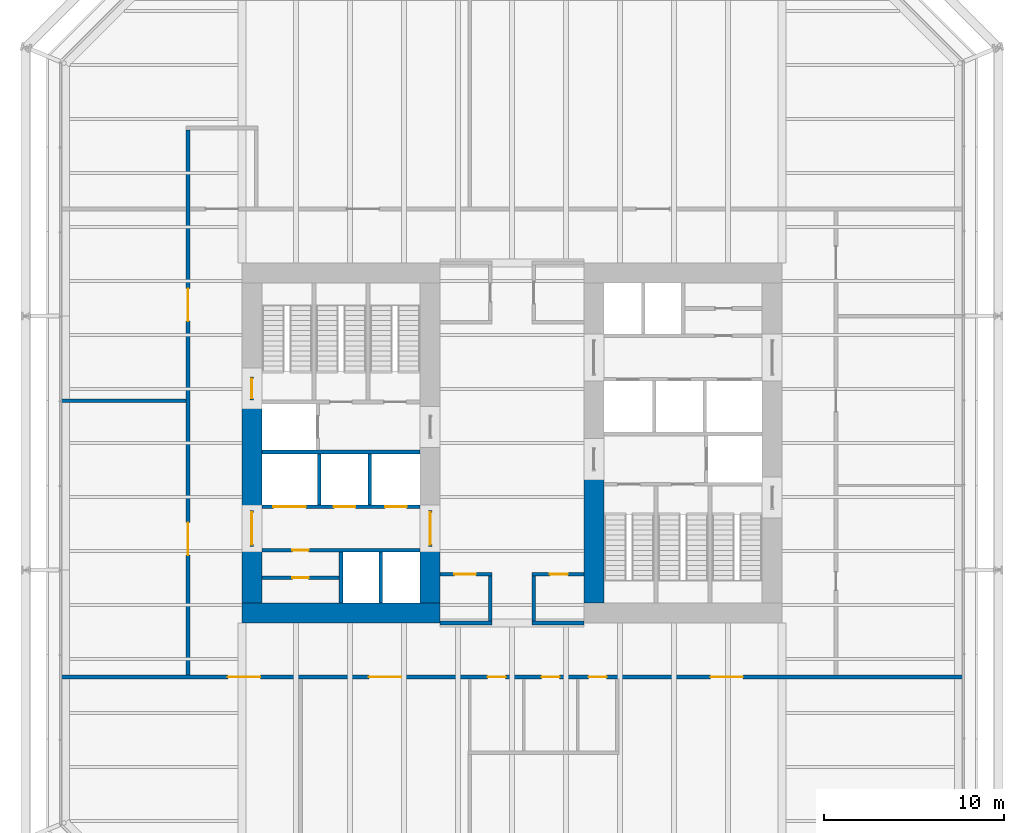
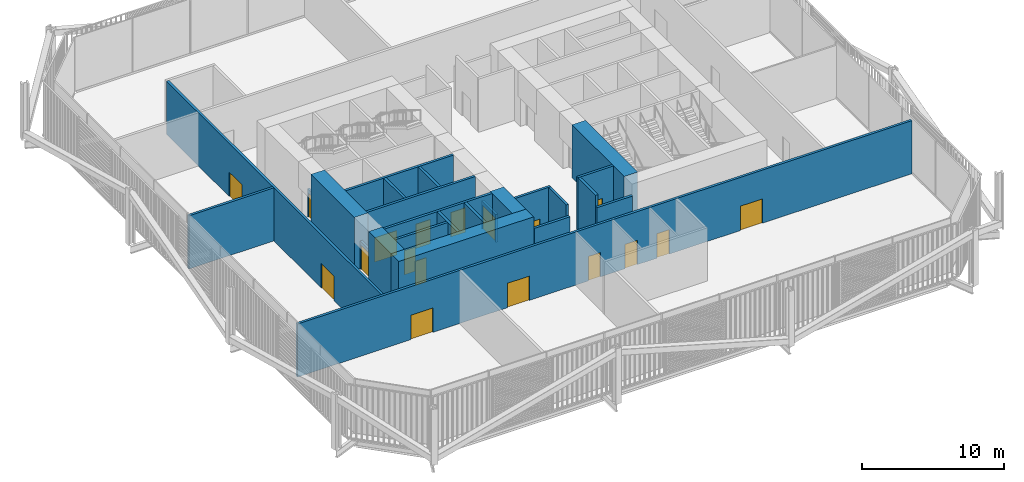
# One storey, part 18 of 22: 25 walls, 18 doors, 18 openings.
"""IFC4 building model written with IfcOpenShell, lengths in metres."""

import ifcopenshell
import ifcopenshell.guid

model = None  # the IFC model being written
_history = None  # IfcOwnerHistory: only IFC2X3 demands one
_inside = {}  # id of a spatial element -> (the spatial element, [elements in it])
_under = {}  # id of a project, library or spatial element -> (it, [spatial elements below it])
_declared = {}  # id of a project -> (the project, [libraries it declares])
_typed = {}  # id of a type object -> (the type object, [elements of that type])
_made_of = {}  # id of a material, layer set ... -> (it, [elements and type objects made of it])


def new_model(schema):
    """Start an empty IFC model of exactly this schema.

    Asked for "IFC4X3", IfcOpenShell would pick the latest addendum, in which some entities
    have other attributes; the version numbers below select the first issue.
    IFC2X3 requires an IfcOwnerHistory on every rooted entity: one is made here for all.
    """
    global model, _history
    if schema == "IFC4X3":
        model = ifcopenshell.file(schema_version=(4, 3, 0, 0))
    else:
        model = ifcopenshell.file(schema=schema)
    _inside.clear()
    _under.clear()
    _declared.clear()
    _typed.clear()
    _made_of.clear()
    _history = None
    if model.schema == "IFC2X3":
        org = make("IfcOrganization", Name="unknown")
        user = make(
            "IfcPersonAndOrganization",
            ThePerson=make("IfcPerson", FamilyName="unknown"),
            TheOrganization=org,
        )
        app = make(
            "IfcApplication",
            ApplicationDeveloper=org,
            Version="unknown",
            ApplicationFullName="unknown",
            ApplicationIdentifier="unknown",
        )
        _history = make(
            "IfcOwnerHistory",
            OwningUser=user,
            OwningApplication=app,
            ChangeAction="ADDED",
            CreationDate=0,
        )
    return model


def make(cls, **values):
    """One entity of the class cls with the attributes given. An attribute that is None is left unset."""
    return model.create_entity(
        cls, **{name: value for name, value in values.items() if value is not None}
    )


def rooted(cls, **values):
    """An entity with a GlobalId (a new one), such as an element, a storey or a relation."""
    return make(cls, GlobalId=ifcopenshell.guid.new(), OwnerHistory=_history, **values)


def si_unit(unit_type, name, prefix=None):
    """IfcSIUnit, for example si_unit("LENGTHUNIT", "METRE", prefix="MILLI")."""
    return make("IfcSIUnit", UnitType=unit_type, Prefix=prefix, Name=name)


def assignment(units):
    """IfcUnitAssignment: the units of a project."""
    return None if units is None else make("IfcUnitAssignment", Units=units)


def point(xyz):
    """IfcCartesianPoint."""
    return None if xyz is None else make("IfcCartesianPoint", Coordinates=xyz)


def direction(xyz):
    """IfcDirection."""
    return None if xyz is None else make("IfcDirection", DirectionRatios=xyz)


def frame(location, z_axis=None, x_axis=None):
    """IfcAxis2Placement3D, a coordinate frame: its origin and axes. An axis left out is left unset."""
    return make(
        "IfcAxis2Placement3D",
        Location=point(location),
        Axis=direction(z_axis),
        RefDirection=direction(x_axis),
    )


def frame_2d(location, x_axis=None):
    """IfcAxis2Placement2D, a coordinate frame in the plane: its origin and x axis."""
    return make(
        "IfcAxis2Placement2D", Location=point(location), RefDirection=direction(x_axis)
    )


def origin():
    """The frame at (0, 0, 0) with its axes left unset."""
    return frame((0.0, 0.0, 0.0))


def place(relative_to, where):
    """IfcLocalPlacement: puts the frame where relative to a parent placement (None: the world)."""
    return make(
        "IfcLocalPlacement", PlacementRelTo=relative_to, RelativePlacement=where
    )


def context(
    kind, dimensions, precision=None, world=None, true_north=None, identifier=None
):
    """IfcGeometricRepresentationContext, for example the 3D "Model" context."""
    return make(
        "IfcGeometricRepresentationContext",
        ContextIdentifier=identifier,
        ContextType=kind,
        CoordinateSpaceDimension=dimensions,
        Precision=precision,
        WorldCoordinateSystem=world,
        TrueNorth=true_north,
    )


def subcontext(parent, identifier, kind, view, scale=None):
    """IfcGeometricRepresentationSubContext, for example "Body" below "Model"."""
    return make(
        "IfcGeometricRepresentationSubContext",
        ContextIdentifier=identifier,
        ContextType=kind,
        ParentContext=parent,
        TargetScale=scale,
        TargetView=view,
    )


def project(units=None, contexts=None):
    """IfcProject with its units and contexts."""
    return rooted(
        "IfcProject",
        Name="project",
        RepresentationContexts=contexts,
        UnitsInContext=assignment(units),
    )


def spatial(cls, under=None, at=None, **own):
    """A site, building, storey or space (cls), placed at a placement, below another one or the project."""
    s = rooted(cls, ObjectPlacement=at, **own)
    if under is not None:
        _under.setdefault(under.id(), (under, []))[1].append(s)
    return s


def profile(cls, at=None, kind="AREA", **sizes):
    """A parametric profile (cls). Its sizes go by their IFC names, for example OverallWidth=200.0."""
    return make(cls, ProfileType=kind, Position=at, **sizes)


def rectangle(**sizes):
    """IfcRectangleProfileDef."""
    return profile("IfcRectangleProfileDef", **sizes)


def extrude(swept, where, along, depth):
    """IfcExtrudedAreaSolid: the profile swept, set in the frame where, extruded along a direction by depth."""
    return make(
        "IfcExtrudedAreaSolid",
        SweptArea=swept,
        Position=where,
        ExtrudedDirection=direction(along),
        Depth=depth,
    )


def shape(context_of_items, identifier, shape_type, items):
    """IfcShapeRepresentation: the items that make up one representation, for example the "Body"."""
    return make(
        "IfcShapeRepresentation",
        ContextOfItems=context_of_items,
        RepresentationIdentifier=identifier,
        RepresentationType=shape_type,
        Items=items,
    )


def material(Name=None, Category=None):
    """IfcMaterial."""
    return make("IfcMaterial", Name=Name, Category=Category)


def layer(
    of_material, thickness, ventilated=None, Name=None, Category=None, Priority=None
):
    """IfcMaterialLayer: one layer of a wall or slab, of a material (None: an air gap)."""
    return make(
        "IfcMaterialLayer",
        Material=of_material,
        LayerThickness=thickness,
        IsVentilated=ventilated,
        Name=Name,
        Category=Category,
        Priority=Priority,
    )


def layer_set(layers, Name=None):
    """IfcMaterialLayerSet."""
    return make("IfcMaterialLayerSet", MaterialLayers=layers, LayerSetName=Name)


def made_of(thing, what):
    """Note that an element or type object is made of a material, layer set ...; save() writes the relation."""
    if what is not None:
        _made_of.setdefault(what.id(), (what, []))[1].append(thing)
    return thing


def type_object(cls, material=None, **own):
    """A type object (cls), such as IfcWallType, which elements share."""
    return made_of(rooted(cls, **own), material)


def element(
    cls,
    number,
    at=None,
    inside=None,
    cuts=None,
    type_object=None,
    material=None,
    context=None,
    identifier="Body",
    shape_type=None,
    held_by="IfcProductDefinitionShape",
    body=None,
    shapes=None,
    **own,
):
    """One element of the class cls, such as IfcWall. Its Tag is "e" and its number.

    at: its placement. inside: the storey or other place that contains it. cuts: it is an
    opening in that element (IfcRelVoidsElement). A single representation is given by context,
    identifier, shape_type and body (its items); several are given by shapes. held_by: the class
    of the entity that holds the representations. save() writes the other relations.
    """
    e = rooted(cls, Tag="e%d" % number, ObjectPlacement=at, **own)
    if body is not None:
        shapes = [shape(context, identifier, shape_type, body)]
    if shapes is not None:
        e.Representation = make(held_by, Representations=shapes)
    if inside is not None:
        _inside.setdefault(inside.id(), (inside, []))[1].append(e)
    if cuts is not None:
        rooted(
            "IfcRelVoidsElement", RelatingBuildingElement=cuts, RelatedOpeningElement=e
        )
    if type_object is not None:
        _typed.setdefault(type_object.id(), (type_object, []))[1].append(e)
    return made_of(e, material)


def fill(opening, filler):
    """IfcRelFillsElement: the door or window that sits in an opening."""
    return rooted(
        "IfcRelFillsElement",
        RelatingOpeningElement=opening,
        RelatedBuildingElement=filler,
    )


def aggregate(whole, parts):
    """IfcRelAggregates: a whole, such as a stair, and the parts it consists of."""
    return rooted("IfcRelAggregates", RelatingObject=whole, RelatedObjects=parts)


def save(model, path):
    """Write the relations noted so far, then the file.

    IfcRelAggregates (storeys below a building ...), IfcRelContainedInSpatialStructure (elements
    in a storey), IfcRelDefinesByType, IfcRelAssociatesMaterial and IfcRelDeclares: one each for
    every whole, place, type object, material and project.
    """
    for whole, parts in _under.values():
        aggregate(whole, parts)
    for where, things in _inside.values():
        rooted(
            "IfcRelContainedInSpatialStructure",
            RelatedElements=things,
            RelatingStructure=where,
        )
    for kind, things in _typed.values():
        rooted("IfcRelDefinesByType", RelatedObjects=things, RelatingType=kind)
    for what, things in _made_of.values():
        rooted("IfcRelAssociatesMaterial", RelatedObjects=things, RelatingMaterial=what)
    for by, libraries in _declared.values():
        rooted("IfcRelDeclares", RelatingContext=by, RelatedDefinitions=libraries)
    model.write(path)


model = new_model("IFC4")

# Units and contexts
model_context = context("Model", 3, precision=1e-05, world=origin(), true_north=direction((0.0, 1.0)))
body_context = subcontext(model_context, "Body", "Model", "MODEL_VIEW")
ifc_project = project(units=[si_unit("LENGTHUNIT", "METRE"), si_unit("AREAUNIT", "SQUARE_METRE"), si_unit("VOLUMEUNIT", "CUBIC_METRE"), si_unit("PLANEANGLEUNIT", "RADIAN"), si_unit("MASSUNIT", "GRAM", prefix="KILO")], contexts=[model_context])

# Site, building, storey
site_placement = place(None, origin())
site = spatial("IfcSite", under=ifc_project, at=site_placement, CompositionType="ELEMENT")
building_placement = place(site_placement, origin())
building = spatial("IfcBuilding", under=site, at=building_placement, Name="Millrace Tower", CompositionType="ELEMENT")
storey_placement = place(building_placement, frame((0.0, 0.0, 30.5)))
storey = spatial("IfcBuildingStorey", under=building, at=storey_placement, Name="L07", CompositionType="ELEMENT", Elevation=30.5)

# Walls
ifc_material_1 = material(Name="Concrete C80", Category="concrete")
ifc_layer_1 = layer(ifc_material_1, 1.10009765625)
ifc_layer_set_1 = layer_set([ifc_layer_1], Name="Concrete C80")
wall_type_1 = type_object("IfcWallType", Name="Core wall 1100 Concrete C80", PredefinedType="SHEAR", material=ifc_layer_set_1)
wall_1_placement = place(storey_placement, frame((-15.0, -9.449951171875, 0.0), z_axis=(0.0, 0.0, 1.0), x_axis=(1.0, 0.0, 0.0)))
element("IfcWall", 1, at=wall_1_placement, inside=storey, type_object=wall_type_1, Name="Core wall W L07", PredefinedType="SHEAR", context=body_context, shape_type="SweptSolid", body=[
    extrude(rectangle(XDim=11.0, YDim=1.10009765625, at=frame_2d((5.5, 0.0))), origin(), (0.0, 0.0, 1.0), 4.574951171875),
])
wall_2_placement = place(storey_placement, frame((-14.449951171875, -8.89990234375, 0.0), z_axis=(0.0, 0.0, 1.0), x_axis=(0.0, 1.0, 0.0)))
element("IfcWall", 2, at=wall_2_placement, inside=storey, type_object=wall_type_1, Name="Core wall W L07", PredefinedType="SHEAR", context=body_context, shape_type="SweptSolid", body=[
    extrude(rectangle(XDim=3.14990234375, YDim=1.10009765625, at=frame_2d((1.574951171875, 0.0))), origin(), (0.0, 0.0, 1.0), 4.574951171875),
])
wall_3_placement = place(storey_placement, frame((-14.449951171875, -3.75, 0.0), z_axis=(0.0, 0.0, 1.0), x_axis=(0.0, 1.0, 0.0)))
element("IfcWall", 3, at=wall_3_placement, inside=storey, type_object=wall_type_1, Name="Core wall W L07", PredefinedType="SHEAR", context=body_context, shape_type="SweptSolid", body=[
    extrude(rectangle(XDim=6.1298828125, YDim=1.10009765625, at=frame_2d((3.06494140625, 0.0))), origin(), (0.0, 0.0, 1.0), 4.574951171875),
])
wall_4_placement = place(storey_placement, frame((-4.550048828125, -8.89990234375, 0.0), z_axis=(0.0, 0.0, 1.0), x_axis=(0.0, 1.0, 0.0)))
element("IfcWall", 4, at=wall_4_placement, inside=storey, type_object=wall_type_1, Name="Core wall W L07", PredefinedType="SHEAR", context=body_context, shape_type="SweptSolid", body=[
    extrude(rectangle(XDim=3.14990234375, YDim=1.10009765625, at=frame_2d((1.574951171875, 0.0))), origin(), (0.0, 0.0, 1.0), 4.574951171875),
])
wall_5_placement = place(storey_placement, frame((4.550048828125, -1.550048828125, 0.0), z_axis=(0.0, 0.0, 1.0), x_axis=(0.0, -1.0, 0.0)))
element("IfcWall", 5, at=wall_5_placement, inside=storey, type_object=wall_type_1, Name="Core wall E L07", PredefinedType="SHEAR", context=body_context, shape_type="SweptSolid", body=[
    extrude(rectangle(XDim=7.349853515625, YDim=1.10009765625, at=frame_2d((3.6748046875, 0.0))), origin(), (0.0, 0.0, 1.0), 4.574951171875),
])

# Wall, openings, doors
ifc_material_2 = material(Name="Masonry partition, fire-rated", Category="masonry")
ifc_layer_2 = layer(ifc_material_2, 0.199951171875)
ifc_layer_set_2 = layer_set([ifc_layer_2], Name="Masonry partition, fire-rated")
wall_type_2 = type_object("IfcWallType", Name="Corridor wall 200", PredefinedType="PARTITIONING", material=ifc_layer_set_2)
wall_6_placement = place(storey_placement, frame((-25.030029296875, -13.0, 0.0), z_axis=(0.0, 0.0, 1.0), x_axis=(1.0, 0.0, 0.0)))
wall_6 = element("IfcWall", 6, at=wall_6_placement, inside=storey, type_object=wall_type_2, Name="Corridor wall L07", PredefinedType="PARTITIONING", context=body_context, shape_type="SweptSolid", body=[
    extrude(rectangle(XDim=50.06005859375, YDim=0.199951171875, at=frame_2d((25.030029296875, 0.0))), origin(), (0.0, 0.0, 1.0), 4.574951171875),
])
opening_1_placement = place(wall_6_placement, frame((9.25, 0.0, 0.0)))
opening_1 = element("IfcOpeningElement", 7, at=opening_1_placement, cuts=wall_6, Name="Opening 07-P005", PredefinedType="OPENING", context=body_context, shape_type="SweptSolid", body=[
    extrude(rectangle(XDim=1.800048828125, YDim=2.10009765625, at=frame_2d((0.89990234375, 1.050048828125))), frame((0.0, 0.10986328125, 0.0), z_axis=(0.0, -1.0, 0.0), x_axis=(1.0, 0.0, 0.0)), (0.0, 0.0, 1.0), 0.219970703125),
])
opening_2_placement = place(wall_6_placement, frame((17.080078125, 0.0, 0.0)))
opening_2 = element("IfcOpeningElement", 8, at=opening_2_placement, cuts=wall_6, Name="Opening 07-P006", PredefinedType="OPENING", context=body_context, shape_type="SweptSolid", body=[
    extrude(rectangle(XDim=1.800048828125, YDim=2.10009765625, at=frame_2d((0.89990234375, 1.050048828125))), frame((0.0, 0.10986328125, 0.0), z_axis=(0.0, -1.0, 0.0), x_axis=(1.0, 0.0, 0.0)), (0.0, 0.0, 1.0), 0.219970703125),
])
opening_3_placement = place(wall_6_placement, frame((36.06005859375, 0.0, 0.0)))
opening_3 = element("IfcOpeningElement", 9, at=opening_3_placement, cuts=wall_6, Name="Opening 07-P007", PredefinedType="OPENING", context=body_context, shape_type="SweptSolid", body=[
    extrude(rectangle(XDim=1.800048828125, YDim=2.10009765625, at=frame_2d((0.89990234375, 1.050048828125))), frame((0.0, 0.10986328125, 0.0), z_axis=(0.0, -1.0, 0.0), x_axis=(1.0, 0.0, 0.0)), (0.0, 0.0, 1.0), 0.219970703125),
])
opening_4_placement = place(wall_6_placement, frame((23.679931640625, 0.0, 0.0)))
opening_4 = element("IfcOpeningElement", 10, at=opening_4_placement, cuts=wall_6, Name="Opening 07-P008", PredefinedType="OPENING", context=body_context, shape_type="SweptSolid", body=[
    extrude(rectangle(XDim=1.0, YDim=2.10009765625, at=frame_2d((0.5, 1.050048828125))), frame((0.0, 0.10986328125, 0.0), z_axis=(0.0, -1.0, 0.0), x_axis=(1.0, 0.0, 0.0)), (0.0, 0.0, 1.0), 0.219970703125),
])
opening_5_placement = place(wall_6_placement, frame((26.679931640625, 0.0, 0.0)))
opening_5 = element("IfcOpeningElement", 11, at=opening_5_placement, cuts=wall_6, Name="Opening 07-P009", PredefinedType="OPENING", context=body_context, shape_type="SweptSolid", body=[
    extrude(rectangle(XDim=1.0, YDim=2.10009765625, at=frame_2d((0.5, 1.050048828125))), frame((0.0, 0.10986328125, 0.0), z_axis=(0.0, -1.0, 0.0), x_axis=(1.0, 0.0, 0.0)), (0.0, 0.0, 1.0), 0.219970703125),
])
opening_6_placement = place(wall_6_placement, frame((29.280029296875, 0.0, 0.0)))
opening_6 = element("IfcOpeningElement", 12, at=opening_6_placement, cuts=wall_6, Name="Opening 07-P010", PredefinedType="OPENING", context=body_context, shape_type="SweptSolid", body=[
    extrude(rectangle(XDim=1.0, YDim=2.10009765625, at=frame_2d((0.5, 1.050048828125))), frame((0.0, 0.10986328125, 0.0), z_axis=(0.0, -1.0, 0.0), x_axis=(1.0, 0.0, 0.0)), (0.0, 0.0, 1.0), 0.219970703125),
])
ifc_material_3 = material(Name="Steel door set, fire-rated", Category="steel")
door_type_1 = type_object("IfcDoorType", Name="Corridor door 1000 x 2100", OperationType="SINGLE_SWING_LEFT", PredefinedType="DOOR", material=ifc_material_3)
door_1_placement = place(opening_4_placement, frame((1.0, 0.0, 0.0), z_axis=(0.0, 0.0, 1.0), x_axis=(-1.0, 0.0, 0.0)))
door_1 = element("IfcDoor", 13, at=door_1_placement, inside=storey, type_object=door_type_1, Name="Door 07-P008", OperationType="SINGLE_SWING_RIGHT", OverallHeight=2.10009765625, OverallWidth=1.0, PredefinedType="DOOR", context=body_context, shape_type="SweptSolid", body=[
    extrude(rectangle(XDim=1.0, YDim=2.10009765625, at=frame_2d((0.5, 1.050048828125))), frame((0.0, 0.02490234375, 0.0), z_axis=(0.0, -1.0, 0.0), x_axis=(1.0, 0.0, 0.0)), (0.0, 0.0, 1.0), 0.050048828125),
])
fill(opening_4, door_1)
door_2_placement = place(opening_5_placement, frame((1.0, 0.0, 0.0), z_axis=(0.0, 0.0, 1.0), x_axis=(-1.0, 0.0, 0.0)))
door_2 = element("IfcDoor", 14, at=door_2_placement, inside=storey, type_object=door_type_1, Name="Door 07-P009", OperationType="SINGLE_SWING_LEFT", OverallHeight=2.10009765625, OverallWidth=1.0, PredefinedType="DOOR", context=body_context, shape_type="SweptSolid", body=[
    extrude(rectangle(XDim=1.0, YDim=2.10009765625, at=frame_2d((0.5, 1.050048828125))), frame((0.0, 0.02490234375, 0.0), z_axis=(0.0, -1.0, 0.0), x_axis=(1.0, 0.0, 0.0)), (0.0, 0.0, 1.0), 0.050048828125),
])
fill(opening_5, door_2)
door_3_placement = place(opening_6_placement, frame((1.0, 0.0, 0.0), z_axis=(0.0, 0.0, 1.0), x_axis=(-1.0, 0.0, 0.0)))
door_3 = element("IfcDoor", 15, at=door_3_placement, inside=storey, type_object=door_type_1, Name="Door 07-P010", OperationType="SINGLE_SWING_LEFT", OverallHeight=2.10009765625, OverallWidth=1.0, PredefinedType="DOOR", context=body_context, shape_type="SweptSolid", body=[
    extrude(rectangle(XDim=1.0, YDim=2.10009765625, at=frame_2d((0.5, 1.050048828125))), frame((0.0, 0.02490234375, 0.0), z_axis=(0.0, -1.0, 0.0), x_axis=(1.0, 0.0, 0.0)), (0.0, 0.0, 1.0), 0.050048828125),
])
fill(opening_6, door_3)
ifc_material_4 = material(Name="Steel door set, fire-rated", Category="steel")
door_type_2 = type_object("IfcDoorType", Name="Corridor door 1800 x 2100", OperationType="DOUBLE_DOOR_SINGLE_SWING", PredefinedType="DOOR", material=ifc_material_4)
door_4_placement = place(opening_2_placement, frame((1.800048828125, 0.0, 0.0), z_axis=(0.0, 0.0, 1.0), x_axis=(-1.0, 0.0, 0.0)))
door_4 = element("IfcDoor", 16, at=door_4_placement, inside=storey, type_object=door_type_2, Name="Door 07-P006", OperationType="DOUBLE_DOOR_SINGLE_SWING", OverallHeight=2.10009765625, OverallWidth=1.800048828125, PredefinedType="DOOR", context=body_context, shape_type="SweptSolid", body=[
    extrude(rectangle(XDim=1.800048828125, YDim=2.10009765625, at=frame_2d((0.89990234375, 1.050048828125))), frame((0.0, 0.02490234375, 0.0), z_axis=(0.0, -1.0, 0.0), x_axis=(1.0, 0.0, 0.0)), (0.0, 0.0, 1.0), 0.050048828125),
])
fill(opening_2, door_4)
ifc_material_5 = material(Name="Steel door set, fire-rated", Category="steel")
door_type_3 = type_object("IfcDoorType", Name="Data hall door 1800 x 2100", OperationType="DOUBLE_DOOR_SINGLE_SWING", PredefinedType="DOOR", material=ifc_material_5)
door_5_placement = place(opening_1_placement, frame((1.800048828125, 0.0, 0.0), z_axis=(0.0, 0.0, 1.0), x_axis=(-1.0, 0.0, 0.0)))
door_5 = element("IfcDoor", 17, at=door_5_placement, inside=storey, type_object=door_type_3, Name="Door 07-P005", OperationType="DOUBLE_DOOR_SINGLE_SWING", OverallHeight=2.10009765625, OverallWidth=1.800048828125, PredefinedType="DOOR", context=body_context, shape_type="SweptSolid", body=[
    extrude(rectangle(XDim=1.800048828125, YDim=2.10009765625, at=frame_2d((0.89990234375, 1.050048828125))), frame((0.0, 0.02490234375, 0.0), z_axis=(0.0, -1.0, 0.0), x_axis=(1.0, 0.0, 0.0)), (0.0, 0.0, 1.0), 0.050048828125),
])
fill(opening_1, door_5)
door_6_placement = place(opening_3_placement, frame((1.800048828125, 0.0, 0.0), z_axis=(0.0, 0.0, 1.0), x_axis=(-1.0, 0.0, 0.0)))
door_6 = element("IfcDoor", 18, at=door_6_placement, inside=storey, type_object=door_type_3, Name="Door 07-P007", OperationType="DOUBLE_DOOR_SINGLE_SWING", OverallHeight=2.10009765625, OverallWidth=1.800048828125, PredefinedType="DOOR", context=body_context, shape_type="SweptSolid", body=[
    extrude(rectangle(XDim=1.800048828125, YDim=2.10009765625, at=frame_2d((0.89990234375, 1.050048828125))), frame((0.0, 0.02490234375, 0.0), z_axis=(0.0, -1.0, 0.0), x_axis=(1.0, 0.0, 0.0)), (0.0, 0.0, 1.0), 0.050048828125),
])
fill(opening_3, door_6)

# Walls
for number, where, z_axis, x_axis, name in (
    (19, (-4.0, -10.0, 0.0), (0.0, 0.0, 1.0), (1.0, 0.0, 0.0), "Corridor wall L07"),
    (20, (1.10009765625, -10.0, 0.0), (0.0, 0.0, 1.0), (1.0, 0.0, 0.0), "Corridor wall L07"),
):
    element("IfcWall", number, at=place(storey_placement, frame(where, z_axis=z_axis, x_axis=x_axis)), inside=storey, type_object=wall_type_2, Name=name, PredefinedType="PARTITIONING", context=body_context, shape_type="SweptSolid", body=[
        extrude(rectangle(XDim=2.89990234375, YDim=0.199951171875, at=frame_2d((1.449951171875, 0.0))), origin(), (0.0, 0.0, 1.0), 3.627685546875),
    ])

# Wall, opening, door
wall_7_placement = place(storey_placement, frame((-4.0, -7.300048828125, 0.0), z_axis=(0.0, 0.0, 1.0), x_axis=(1.0, 0.0, 0.0)))
wall_7 = element("IfcWall", 21, at=wall_7_placement, inside=storey, type_object=wall_type_2, Name="Corridor wall L07", PredefinedType="PARTITIONING", context=body_context, shape_type="SweptSolid", body=[
    extrude(rectangle(XDim=2.89990234375, YDim=0.199951171875, at=frame_2d((1.449951171875, 0.0))), origin(), (0.0, 0.0, 1.0), 4.574951171875),
])
opening_7_placement = place(wall_7_placement, frame((0.800048828125, 0.0, 0.0)))
opening_7 = element("IfcOpeningElement", 22, at=opening_7_placement, cuts=wall_7, Name="Opening 07-P003", PredefinedType="OPENING", context=body_context, shape_type="SweptSolid", body=[
    extrude(rectangle(XDim=1.199951171875, YDim=2.10009765625, at=frame_2d((0.60009765625, 1.050048828125))), frame((0.0, 0.10986328125, 0.0), z_axis=(0.0, -1.0, 0.0), x_axis=(1.0, 0.0, 0.0)), (0.0, 0.0, 1.0), 0.219970703125),
])
ifc_material_6 = material(Name="Steel door set, fire-rated", Category="steel")
door_type_4 = type_object("IfcDoorType", Name="Corridor door 1200 x 2100", OperationType="SINGLE_SWING_LEFT", PredefinedType="DOOR", material=ifc_material_6)
door_7_placement = place(opening_7_placement, frame((1.199951171875, 0.0, 0.0), z_axis=(0.0, 0.0, 1.0), x_axis=(-1.0, 0.0, 0.0)))
door_7 = element("IfcDoor", 23, at=door_7_placement, inside=storey, type_object=door_type_4, Name="Door 07-P003", OperationType="SINGLE_SWING_LEFT", OverallHeight=2.10009765625, OverallWidth=1.199951171875, PredefinedType="DOOR", context=body_context, shape_type="SweptSolid", body=[
    extrude(rectangle(XDim=1.199951171875, YDim=2.10009765625, at=frame_2d((0.60009765625, 1.050048828125))), frame((0.0, 0.02490234375, 0.0), z_axis=(0.0, -1.0, 0.0), x_axis=(1.0, 0.0, 0.0)), (0.0, 0.0, 1.0), 0.050048828125),
])
fill(opening_7, door_7)

wall_8_placement = place(storey_placement, frame((1.10009765625, -7.300048828125, 0.0), z_axis=(0.0, 0.0, 1.0), x_axis=(1.0, 0.0, 0.0)))
wall_8 = element("IfcWall", 24, at=wall_8_placement, inside=storey, type_object=wall_type_2, Name="Corridor wall L07", PredefinedType="PARTITIONING", context=body_context, shape_type="SweptSolid", body=[
    extrude(rectangle(XDim=2.89990234375, YDim=0.199951171875, at=frame_2d((1.449951171875, 0.0))), origin(), (0.0, 0.0, 1.0), 4.574951171875),
])
opening_8_placement = place(wall_8_placement, frame((1.0, 0.0, 0.0)))
opening_8 = element("IfcOpeningElement", 25, at=opening_8_placement, cuts=wall_8, Name="Opening 07-P004", PredefinedType="OPENING", context=body_context, shape_type="SweptSolid", body=[
    extrude(rectangle(XDim=1.0, YDim=2.10009765625, at=frame_2d((0.5, 1.050048828125))), frame((0.0, 0.10986328125, 0.0), z_axis=(0.0, -1.0, 0.0), x_axis=(1.0, 0.0, 0.0)), (0.0, 0.0, 1.0), 0.219970703125),
])
door_8_placement = place(opening_8_placement, frame((1.0, 0.0, 0.0), z_axis=(0.0, 0.0, 1.0), x_axis=(-1.0, 0.0, 0.0)))
door_8 = element("IfcDoor", 26, at=door_8_placement, inside=storey, type_object=door_type_1, Name="Door 07-P004", OperationType="SINGLE_SWING_LEFT", OverallHeight=2.10009765625, OverallWidth=1.0, PredefinedType="DOOR", context=body_context, shape_type="SweptSolid", body=[
    extrude(rectangle(XDim=1.0, YDim=2.10009765625, at=frame_2d((0.5, 1.050048828125))), frame((0.0, 0.02490234375, 0.0), z_axis=(0.0, -1.0, 0.0), x_axis=(1.0, 0.0, 0.0)), (0.0, 0.0, 1.0), 0.050048828125),
])
fill(opening_8, door_8)

# Walls
wall_9_placement = place(storey_placement, frame((-25.030029296875, 2.35009765625, 0.0), z_axis=(0.0, 0.0, 1.0), x_axis=(1.0, 0.0, 0.0)))
element("IfcWall", 27, at=wall_9_placement, inside=storey, type_object=wall_type_2, Name="Corridor wall L07", PredefinedType="PARTITIONING", context=body_context, shape_type="SweptSolid", body=[
    extrude(rectangle(XDim=6.929931640625, YDim=0.199951171875, at=frame_2d((3.46484375, 0.0))), origin(), (0.0, 0.0, 1.0), 4.574951171875),
])
for number, where, z_axis, x_axis, name in (
    (28, (1.199951171875, -9.89990234375, 0.0), (0.0, 0.0, 1.0), (0.0, 1.0, 0.0), "Corridor wall L07"),
    (29, (-1.199951171875, -9.89990234375, 0.0), (0.0, 0.0, 1.0), (0.0, 1.0, 0.0), "Corridor wall L07"),
):
    element("IfcWall", number, at=place(storey_placement, frame(where, z_axis=z_axis, x_axis=x_axis)), inside=storey, type_object=wall_type_2, Name=name, PredefinedType="PARTITIONING", context=body_context, shape_type="SweptSolid", body=[
        extrude(rectangle(XDim=2.5, YDim=0.199951171875, at=frame_2d((1.25, 0.0))), origin(), (0.0, 0.0, 1.0), 4.574951171875),
    ])

# Wall, openings, doors
wall_10_placement = place(storey_placement, frame((-18.0, -12.89990234375, 0.0), z_axis=(0.0, 0.0, 1.0), x_axis=(0.0, 1.0, 0.0)))
wall_10 = element("IfcWall", 30, at=wall_10_placement, inside=storey, type_object=wall_type_2, Name="Corridor wall L07", PredefinedType="PARTITIONING", context=body_context, shape_type="SweptSolid", body=[
    extrude(rectangle(XDim=30.2998046875, YDim=0.199951171875, at=frame_2d((15.14990234375, 0.0))), origin(), (0.0, 0.0, 1.0), 4.574951171875),
])
opening_9_placement = place(wall_10_placement, frame((6.675048828125, 0.0, 0.0)))
opening_9 = element("IfcOpeningElement", 31, at=opening_9_placement, cuts=wall_10, Name="Opening 07-P017", PredefinedType="OPENING", context=body_context, shape_type="SweptSolid", body=[
    extrude(rectangle(XDim=1.800048828125, YDim=2.10009765625, at=frame_2d((0.89990234375, 1.050048828125))), frame((0.0, 0.10986328125, 0.0), z_axis=(0.0, -1.0, 0.0), x_axis=(1.0, 0.0, 0.0)), (0.0, 0.0, 1.0), 0.219970703125),
])
opening_10_placement = place(wall_10_placement, frame((19.675048828125, 0.0, 0.0)))
opening_10 = element("IfcOpeningElement", 32, at=opening_10_placement, cuts=wall_10, Name="Opening 07-P018", PredefinedType="OPENING", context=body_context, shape_type="SweptSolid", body=[
    extrude(rectangle(XDim=1.800048828125, YDim=2.10009765625, at=frame_2d((0.89990234375, 1.050048828125))), frame((0.0, 0.10986328125, 0.0), z_axis=(0.0, -1.0, 0.0), x_axis=(1.0, 0.0, 0.0)), (0.0, 0.0, 1.0), 0.219970703125),
])
door_9_placement = place(opening_9_placement, origin())
door_9 = element("IfcDoor", 33, at=door_9_placement, inside=storey, type_object=door_type_3, Name="Door 07-P017", OperationType="DOUBLE_DOOR_SINGLE_SWING", OverallHeight=2.10009765625, OverallWidth=1.800048828125, PredefinedType="DOOR", context=body_context, shape_type="SweptSolid", body=[
    extrude(rectangle(XDim=1.800048828125, YDim=2.10009765625, at=frame_2d((0.89990234375, 1.050048828125))), frame((0.0, 0.02490234375, 0.0), z_axis=(0.0, -1.0, 0.0), x_axis=(1.0, 0.0, 0.0)), (0.0, 0.0, 1.0), 0.050048828125),
])
fill(opening_9, door_9)
door_10_placement = place(opening_10_placement, origin())
door_10 = element("IfcDoor", 34, at=door_10_placement, inside=storey, type_object=door_type_3, Name="Door 07-P018", OperationType="DOUBLE_DOOR_SINGLE_SWING", OverallHeight=2.10009765625, OverallWidth=1.800048828125, PredefinedType="DOOR", context=body_context, shape_type="SweptSolid", body=[
    extrude(rectangle(XDim=1.800048828125, YDim=2.10009765625, at=frame_2d((0.89990234375, 1.050048828125))), frame((0.0, 0.02490234375, 0.0), z_axis=(0.0, -1.0, 0.0), x_axis=(1.0, 0.0, 0.0)), (0.0, 0.0, 1.0), 0.050048828125),
])
fill(opening_10, door_10)

# Wall, opening, door
ifc_material_7 = material(Name="Masonry partition, fire-rated", Category="masonry")
ifc_layer_3 = layer(ifc_material_7, 0.199951171875)
ifc_layer_set_3 = layer_set([ifc_layer_3], Name="Masonry partition, fire-rated")
wall_type_3 = type_object("IfcWallType", Name="Lift shaft wall 200", PredefinedType="PARTITIONING", material=ifc_layer_set_3)
wall_11_placement = place(storey_placement, frame((-13.89990234375, -5.949951171875, 0.0), z_axis=(0.0, 0.0, 1.0), x_axis=(1.0, 0.0, 0.0)))
wall_11 = element("IfcWall", 35, at=wall_11_placement, inside=storey, type_object=wall_type_3, Name="Lift shaft wall W L07", PredefinedType="PARTITIONING", context=body_context, shape_type="SweptSolid", body=[
    extrude(rectangle(XDim=8.7998046875, YDim=0.199951171875, at=frame_2d((4.39990234375, 0.0))), origin(), (0.0, 0.0, 1.0), 4.574951171875),
])
opening_11_placement = place(wall_11_placement, frame((1.699951171875, 0.0, 0.0)))
opening_11 = element("IfcOpeningElement", 36, at=opening_11_placement, cuts=wall_11, Name="Opening 07-C005", PredefinedType="OPENING", context=body_context, shape_type="SweptSolid", body=[
    extrude(rectangle(XDim=0.89990234375, YDim=2.10009765625, at=frame_2d((0.449951171875, 1.050048828125))), frame((0.0, 0.10986328125, 0.0), z_axis=(0.0, -1.0, 0.0), x_axis=(1.0, 0.0, 0.0)), (0.0, 0.0, 1.0), 0.219970703125),
])
ifc_material_8 = material(Name="Steel door, fire-rated", Category="steel")
door_type_5 = type_object("IfcDoorType", Name="Service room door 900 x 2100", OperationType="SINGLE_SWING_LEFT", PredefinedType="DOOR", material=ifc_material_8)
door_11_placement = place(opening_11_placement, origin())
door_11 = element("IfcDoor", 37, at=door_11_placement, inside=storey, type_object=door_type_5, Name="Service room door 07-C005", OperationType="SINGLE_SWING_LEFT", OverallHeight=2.10009765625, OverallWidth=0.89990234375, PredefinedType="DOOR", context=body_context, shape_type="SweptSolid", body=[
    extrude(rectangle(XDim=0.89990234375, YDim=2.10009765625, at=frame_2d((0.449951171875, 1.050048828125))), frame((0.0, 0.02490234375, 0.0), z_axis=(0.0, -1.0, 0.0), x_axis=(1.0, 0.0, 0.0)), (0.0, 0.0, 1.0), 0.050048828125),
])
fill(opening_11, door_11)

# Wall, openings, doors
wall_12_placement = place(storey_placement, frame((-13.89990234375, -3.550048828125, 0.0), z_axis=(0.0, 0.0, 1.0), x_axis=(1.0, 0.0, 0.0)))
wall_12 = element("IfcWall", 38, at=wall_12_placement, inside=storey, type_object=wall_type_3, Name="Lift shaft wall W L07", PredefinedType="PARTITIONING", context=body_context, shape_type="SweptSolid", body=[
    extrude(rectangle(XDim=8.7998046875, YDim=0.199951171875, at=frame_2d((4.39990234375, 0.0))), origin(), (0.0, 0.0, 1.0), 4.574951171875),
])
opening_12_placement = place(wall_12_placement, frame((0.64990234375, 0.0, 0.0)))
opening_12 = element("IfcOpeningElement", 39, at=opening_12_placement, cuts=wall_12, Name="Opening 07-LD05", PredefinedType="OPENING", context=body_context, shape_type="SweptSolid", body=[
    extrude(rectangle(XDim=1.800048828125, YDim=2.10009765625, at=frame_2d((0.89990234375, 1.050048828125))), frame((0.0, 0.10986328125, 0.0), z_axis=(0.0, -1.0, 0.0), x_axis=(1.0, 0.0, 0.0)), (0.0, 0.0, 1.0), 0.219970703125),
])
opening_13_placement = place(wall_12_placement, frame((4.0, 0.0, 0.0)))
opening_13 = element("IfcOpeningElement", 40, at=opening_13_placement, cuts=wall_12, Name="Opening 07-LD06", PredefinedType="OPENING", context=body_context, shape_type="SweptSolid", body=[
    extrude(rectangle(XDim=1.199951171875, YDim=2.10009765625, at=frame_2d((0.60009765625, 1.050048828125))), frame((0.0, 0.10986328125, 0.0), z_axis=(0.0, -1.0, 0.0), x_axis=(1.0, 0.0, 0.0)), (0.0, 0.0, 1.0), 0.219970703125),
])
opening_14_placement = place(wall_12_placement, frame((6.85009765625, 0.0, 0.0)))
opening_14 = element("IfcOpeningElement", 41, at=opening_14_placement, cuts=wall_12, Name="Opening 07-LD07", PredefinedType="OPENING", context=body_context, shape_type="SweptSolid", body=[
    extrude(rectangle(XDim=1.199951171875, YDim=2.10009765625, at=frame_2d((0.60009765625, 1.050048828125))), frame((0.0, 0.10986328125, 0.0), z_axis=(0.0, -1.0, 0.0), x_axis=(1.0, 0.0, 0.0)), (0.0, 0.0, 1.0), 0.219970703125),
])
ifc_material_9 = material(Name="Stainless steel, fire-rated", Category="steel")
door_type_6 = type_object("IfcDoorType", Name="Lift landing door 1200 x 2100", OperationType="DOUBLE_DOOR_SLIDING", PredefinedType="DOOR", material=ifc_material_9)
door_12_placement = place(opening_13_placement, origin())
door_12 = element("IfcDoor", 42, at=door_12_placement, inside=storey, type_object=door_type_6, Name="Lift landing door LF6 L07", OperationType="DOUBLE_DOOR_SLIDING", OverallHeight=2.10009765625, OverallWidth=1.199951171875, PredefinedType="DOOR", context=body_context, shape_type="SweptSolid", body=[
    extrude(rectangle(XDim=1.199951171875, YDim=2.10009765625, at=frame_2d((0.60009765625, 1.050048828125))), frame((0.0, 0.02490234375, 0.0), z_axis=(0.0, -1.0, 0.0), x_axis=(1.0, 0.0, 0.0)), (0.0, 0.0, 1.0), 0.050048828125),
])
fill(opening_13, door_12)
door_13_placement = place(opening_14_placement, origin())
door_13 = element("IfcDoor", 43, at=door_13_placement, inside=storey, type_object=door_type_6, Name="Lift landing door LF7 L07", OperationType="DOUBLE_DOOR_SLIDING", OverallHeight=2.10009765625, OverallWidth=1.199951171875, PredefinedType="DOOR", context=body_context, shape_type="SweptSolid", body=[
    extrude(rectangle(XDim=1.199951171875, YDim=2.10009765625, at=frame_2d((0.60009765625, 1.050048828125))), frame((0.0, 0.02490234375, 0.0), z_axis=(0.0, -1.0, 0.0), x_axis=(1.0, 0.0, 0.0)), (0.0, 0.0, 1.0), 0.050048828125),
])
fill(opening_14, door_13)
ifc_material_10 = material(Name="Stainless steel, fire-rated", Category="steel")
door_type_7 = type_object("IfcDoorType", Name="Lift landing door 1800 x 2100", OperationType="DOUBLE_DOOR_SLIDING", PredefinedType="DOOR", material=ifc_material_10)
door_14_placement = place(opening_12_placement, origin())
door_14 = element("IfcDoor", 44, at=door_14_placement, inside=storey, type_object=door_type_7, Name="Lift landing door LF5 L07", OperationType="DOUBLE_DOOR_SLIDING", OverallHeight=2.10009765625, OverallWidth=1.800048828125, PredefinedType="DOOR", context=body_context, shape_type="SweptSolid", body=[
    extrude(rectangle(XDim=1.800048828125, YDim=2.10009765625, at=frame_2d((0.89990234375, 1.050048828125))), frame((0.0, 0.02490234375, 0.0), z_axis=(0.0, -1.0, 0.0), x_axis=(1.0, 0.0, 0.0)), (0.0, 0.0, 1.0), 0.050048828125),
])
fill(opening_12, door_14)

# Walls
wall_13_placement = place(storey_placement, frame((-13.89990234375, -0.5, 0.0), z_axis=(0.0, 0.0, 1.0), x_axis=(1.0, 0.0, 0.0)))
element("IfcWall", 45, at=wall_13_placement, inside=storey, type_object=wall_type_3, Name="Lift shaft wall W L07", PredefinedType="PARTITIONING", context=body_context, shape_type="SweptSolid", body=[
    extrude(rectangle(XDim=8.7998046875, YDim=0.199951171875, at=frame_2d((4.39990234375, 0.0))), origin(), (0.0, 0.0, 1.0), 4.574951171875),
])
for number, where, z_axis, x_axis, name in (
    (46, (-9.5, -8.89990234375, 0.0), (0.0, 0.0, 1.0), (0.0, 1.0, 0.0), "Lift shaft wall W L07"),
    (47, (-7.300048828125, -8.89990234375, 0.0), (0.0, 0.0, 1.0), (0.0, 1.0, 0.0), "Lift shaft wall W L07"),
    (48, (-10.699951171875, -3.449951171875, 0.0), (0.0, 0.0, 1.0), (0.0, 1.0, 0.0), "Lift shaft wall W L07"),
    (49, (-7.89990234375, -3.449951171875, 0.0), (0.0, 0.0, 1.0), (0.0, 1.0, 0.0), "Lift shaft wall W L07"),
):
    element("IfcWall", number, at=place(storey_placement, frame(where, z_axis=z_axis, x_axis=x_axis)), inside=storey, type_object=wall_type_3, Name=name, PredefinedType="PARTITIONING", context=body_context, shape_type="SweptSolid", body=[
        extrude(rectangle(XDim=2.849853515625, YDim=0.199951171875, at=frame_2d((1.4248046875, 0.0))), origin(), (0.0, 0.0, 1.0), 4.574951171875),
    ])

# Wall, opening, door
ifc_material_11 = material(Name="Masonry partition, fire-rated", Category="masonry")
ifc_layer_4 = layer(ifc_material_11, 0.199951171875)
ifc_layer_set_4 = layer_set([ifc_layer_4], Name="Masonry partition, fire-rated")
wall_type_4 = type_object("IfcWallType", Name="Lobby wall 200", PredefinedType="PARTITIONING", material=ifc_layer_set_4)
wall_14_placement = place(storey_placement, frame((-14.449951171875, -5.75, 0.0), z_axis=(0.0, 0.0, 1.0), x_axis=(0.0, 1.0, 0.0)))
wall_14 = element("IfcWall", 50, at=wall_14_placement, inside=storey, type_object=wall_type_4, Name="Lobby wall W L07", PredefinedType="PARTITIONING", context=body_context, shape_type="SweptSolid", body=[
    extrude(rectangle(XDim=2.0, YDim=0.199951171875, at=frame_2d((1.0, 0.0))), origin(), (0.0, 0.0, 1.0), 2.39990234375),
])
opening_15_placement = place(wall_14_placement, frame((0.10009765625, 0.0, 0.0)))
opening_15 = element("IfcOpeningElement", 51, at=opening_15_placement, cuts=wall_14, Name="Opening 07-C001", PredefinedType="OPENING", context=body_context, shape_type="SweptSolid", body=[
    extrude(rectangle(XDim=1.800048828125, YDim=2.10009765625, at=frame_2d((0.89990234375, 1.050048828125))), frame((0.0, 0.10986328125, 0.0), z_axis=(0.0, -1.0, 0.0), x_axis=(1.0, 0.0, 0.0)), (0.0, 0.0, 1.0), 0.219970703125),
])
ifc_material_12 = material(Name="Steel door, fire-rated", Category="steel")
door_type_8 = type_object("IfcDoorType", Name="Lobby door 1800 x 2100", OperationType="DOUBLE_DOOR_SINGLE_SWING", PredefinedType="DOOR", material=ifc_material_12)
door_15_placement = place(opening_15_placement, origin())
door_15 = element("IfcDoor", 52, at=door_15_placement, inside=storey, type_object=door_type_8, Name="Lobby door 07-C001", OperationType="DOUBLE_DOOR_SINGLE_SWING", OverallHeight=2.10009765625, OverallWidth=1.800048828125, PredefinedType="DOOR", context=body_context, shape_type="SweptSolid", body=[
    extrude(rectangle(XDim=1.800048828125, YDim=2.10009765625, at=frame_2d((0.89990234375, 1.050048828125))), frame((0.0, 0.02490234375, 0.0), z_axis=(0.0, -1.0, 0.0), x_axis=(1.0, 0.0, 0.0)), (0.0, 0.0, 1.0), 0.050048828125),
])
fill(opening_15, door_15)

wall_15_placement = place(storey_placement, frame((-4.550048828125, -5.75, 0.0), z_axis=(0.0, 0.0, 1.0), x_axis=(0.0, 1.0, 0.0)))
wall_15 = element("IfcWall", 53, at=wall_15_placement, inside=storey, type_object=wall_type_4, Name="Lobby wall W L07", PredefinedType="PARTITIONING", context=body_context, shape_type="SweptSolid", body=[
    extrude(rectangle(XDim=2.0, YDim=0.199951171875, at=frame_2d((1.0, 0.0))), origin(), (0.0, 0.0, 1.0), 2.39990234375),
])
opening_16_placement = place(wall_15_placement, frame((0.10009765625, 0.0, 0.0)))
opening_16 = element("IfcOpeningElement", 54, at=opening_16_placement, cuts=wall_15, Name="Opening 07-C003", PredefinedType="OPENING", context=body_context, shape_type="SweptSolid", body=[
    extrude(rectangle(XDim=1.800048828125, YDim=2.10009765625, at=frame_2d((0.89990234375, 1.050048828125))), frame((0.0, 0.10986328125, 0.0), z_axis=(0.0, -1.0, 0.0), x_axis=(1.0, 0.0, 0.0)), (0.0, 0.0, 1.0), 0.219970703125),
])
door_16_placement = place(opening_16_placement, origin())
door_16 = element("IfcDoor", 55, at=door_16_placement, inside=storey, type_object=door_type_8, Name="Lobby door 07-C003", OperationType="DOUBLE_DOOR_SINGLE_SWING", OverallHeight=2.10009765625, OverallWidth=1.800048828125, PredefinedType="DOOR", context=body_context, shape_type="SweptSolid", body=[
    extrude(rectangle(XDim=1.800048828125, YDim=2.10009765625, at=frame_2d((0.89990234375, 1.050048828125))), frame((0.0, 0.02490234375, 0.0), z_axis=(0.0, -1.0, 0.0), x_axis=(1.0, 0.0, 0.0)), (0.0, 0.0, 1.0), 0.050048828125),
])
fill(opening_16, door_16)

ifc_material_13 = material(Name="Masonry partition, fire-rated", Category="masonry")
ifc_layer_5 = layer(ifc_material_13, 0.199951171875)
ifc_layer_set_5 = layer_set([ifc_layer_5], Name="Masonry partition, fire-rated")
wall_type_5 = type_object("IfcWallType", Name="Room partition 200", PredefinedType="PARTITIONING", material=ifc_layer_set_5)
wall_16_placement = place(storey_placement, frame((-13.89990234375, -7.47509765625, 0.0), z_axis=(0.0, 0.0, 1.0), x_axis=(1.0, 0.0, 0.0)))
wall_16 = element("IfcWall", 56, at=wall_16_placement, inside=storey, type_object=wall_type_5, Name="Room partition W L07", PredefinedType="PARTITIONING", context=body_context, shape_type="SweptSolid", body=[
    extrude(rectangle(XDim=4.2998046875, YDim=0.199951171875, at=frame_2d((2.14990234375, 0.0))), origin(), (0.0, 0.0, 1.0), 4.574951171875),
])
opening_17_placement = place(wall_16_placement, frame((1.699951171875, 0.0, 0.0)))
opening_17 = element("IfcOpeningElement", 57, at=opening_17_placement, cuts=wall_16, Name="Opening 07-C006", PredefinedType="OPENING", context=body_context, shape_type="SweptSolid", body=[
    extrude(rectangle(XDim=0.89990234375, YDim=2.10009765625, at=frame_2d((0.449951171875, 1.050048828125))), frame((0.0, 0.10986328125, 0.0), z_axis=(0.0, -1.0, 0.0), x_axis=(1.0, 0.0, 0.0)), (0.0, 0.0, 1.0), 0.219970703125),
])
door_17_placement = place(opening_17_placement, frame((0.89990234375, 0.0, 0.0), z_axis=(0.0, 0.0, 1.0), x_axis=(-1.0, 0.0, 0.0)))
door_17 = element("IfcDoor", 58, at=door_17_placement, inside=storey, type_object=door_type_5, Name="Service room door 07-C006", OperationType="SINGLE_SWING_LEFT", OverallHeight=2.10009765625, OverallWidth=0.89990234375, PredefinedType="DOOR", context=body_context, shape_type="SweptSolid", body=[
    extrude(rectangle(XDim=0.89990234375, YDim=2.10009765625, at=frame_2d((0.449951171875, 1.050048828125))), frame((0.0, 0.02490234375, 0.0), z_axis=(0.0, -1.0, 0.0), x_axis=(1.0, 0.0, 0.0)), (0.0, 0.0, 1.0), 0.050048828125),
])
fill(opening_17, door_17)

ifc_material_14 = material(Name="Concrete C40", Category="concrete")
ifc_layer_6 = layer(ifc_material_14, 0.199951171875)
ifc_layer_set_6 = layer_set([ifc_layer_6], Name="Concrete C40")
wall_type_6 = type_object("IfcWallType", Name="Stair enclosure wall 200 Concrete C40", PredefinedType="SHEAR", material=ifc_layer_set_6)
wall_17_placement = place(storey_placement, frame((-14.449951171875, 2.3798828125, 0.0), z_axis=(0.0, 0.0, 1.0), x_axis=(0.0, 1.0, 0.0)))
wall_17 = element("IfcWall", 59, at=wall_17_placement, inside=storey, type_object=wall_type_6, Name="Stair enclosure wall W L07", PredefinedType="SHEAR", context=body_context, shape_type="SweptSolid", body=[
    extrude(rectangle(XDim=1.300048828125, YDim=0.199951171875, at=frame_2d((0.64990234375, 0.0))), origin(), (0.0, 0.0, 1.0), 2.39990234375),
])
opening_18_placement = place(wall_17_placement, frame((0.10009765625, 0.0, 0.0)))
opening_18 = element("IfcOpeningElement", 60, at=opening_18_placement, cuts=wall_17, Name="Opening 07-C002", PredefinedType="OPENING", context=body_context, shape_type="SweptSolid", body=[
    extrude(rectangle(XDim=1.10009765625, YDim=2.10009765625, at=frame_2d((0.550048828125, 1.050048828125))), frame((0.0, 0.10986328125, 0.0), z_axis=(0.0, -1.0, 0.0), x_axis=(1.0, 0.0, 0.0)), (0.0, 0.0, 1.0), 0.219970703125),
])
ifc_material_15 = material(Name="Steel door, fire-rated", Category="steel")
door_type_9 = type_object("IfcDoorType", Name="Stair door 1100 x 2100", OperationType="SINGLE_SWING_LEFT", PredefinedType="DOOR", material=ifc_material_15)
door_18_placement = place(opening_18_placement, origin())
door_18 = element("IfcDoor", 61, at=door_18_placement, inside=storey, type_object=door_type_9, Name="Stair door 07-C002", OperationType="SINGLE_SWING_LEFT", OverallHeight=2.10009765625, OverallWidth=1.10009765625, PredefinedType="DOOR", context=body_context, shape_type="SweptSolid", body=[
    extrude(rectangle(XDim=1.10009765625, YDim=2.10009765625, at=frame_2d((0.550048828125, 1.050048828125))), frame((0.0, 0.02490234375, 0.0), z_axis=(0.0, -1.0, 0.0), x_axis=(1.0, 0.0, 0.0)), (0.0, 0.0, 1.0), 0.050048828125),
])
fill(opening_18, door_18)

save(model, "model.ifc")
